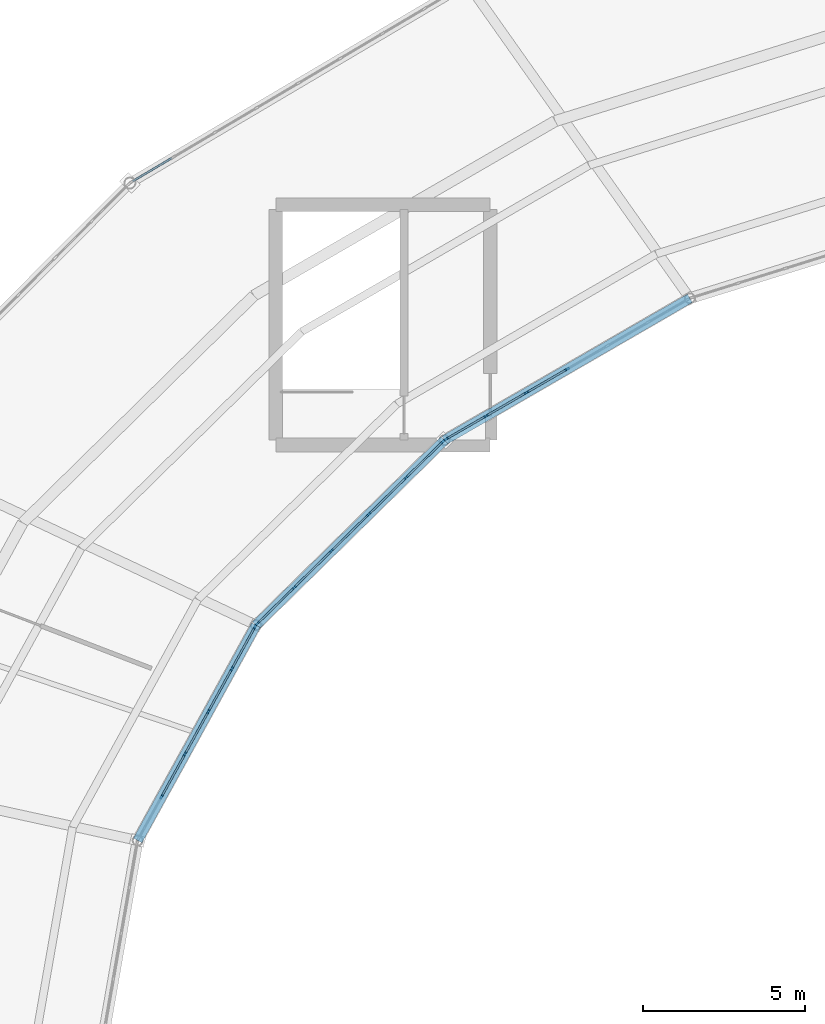
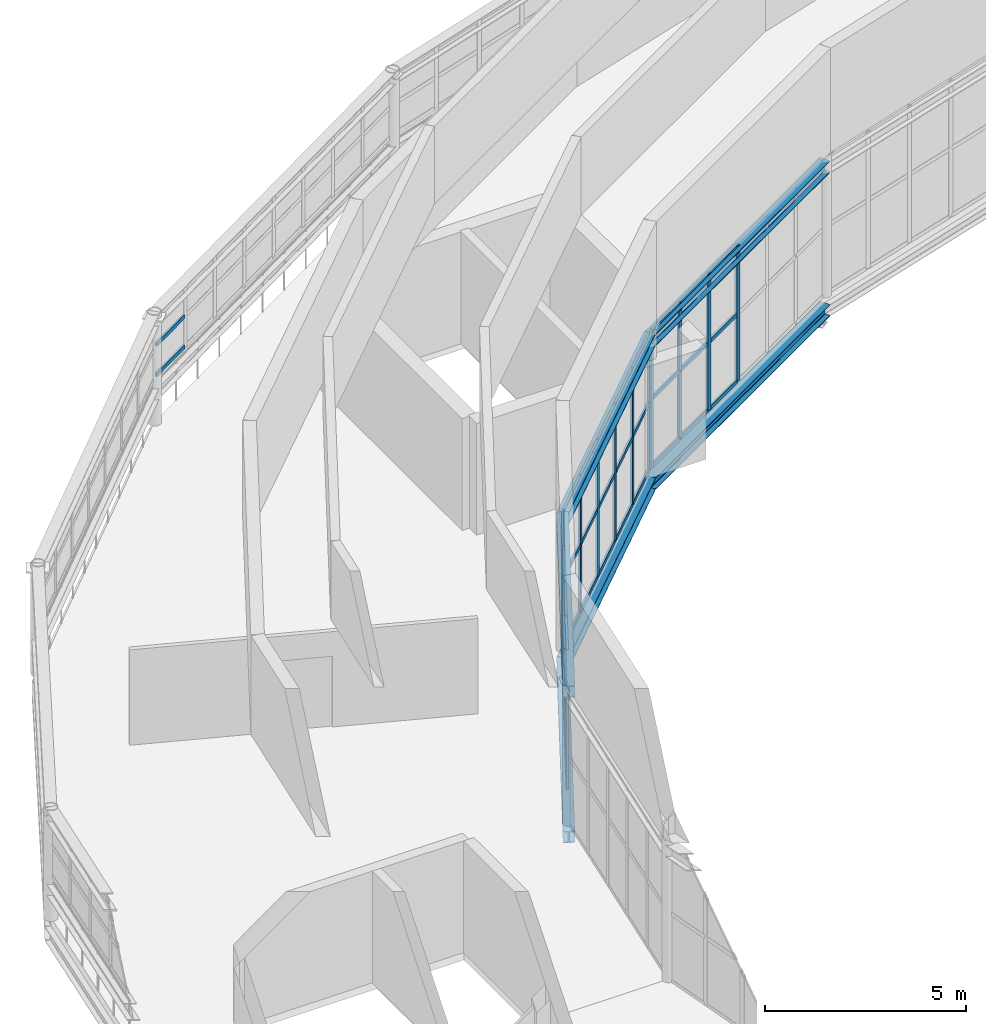
# One storey, part 48 of 123: 53 members, 6 beams, 4 elements without a shape of their own.
"""IFC4 building model written with IfcOpenShell, lengths in metres."""

from ifc_helpers import new_model, si_unit, direction, frame, origin, origin_2d, place, context, subcontext, project, spatial, rectangle, i_section, extrude, material, material_profile, profile_set, type_object, element, aggregate, save


model = new_model("IFC4")

# Units and contexts
model_context = context("Model", 3, precision=1e-05, world=origin(), true_north=direction((0.0, 1.0)))
body_context = subcontext(model_context, "Body", "Model", "MODEL_VIEW")
ifc_project = project(units=[si_unit("LENGTHUNIT", "METRE"), si_unit("AREAUNIT", "SQUARE_METRE"), si_unit("VOLUMEUNIT", "CUBIC_METRE"), si_unit("PLANEANGLEUNIT", "RADIAN"), si_unit("MASSUNIT", "GRAM", prefix="KILO")], contexts=[model_context])

# Site, building, storey
site_placement = place(None, origin())
site = spatial("IfcSite", under=ifc_project, at=site_placement, CompositionType="ELEMENT")
building_placement = place(site_placement, origin())
building = spatial("IfcBuilding", under=site, at=building_placement, Name="Kildeholm Park Wholesale Market", CompositionType="ELEMENT")
storey_placement = place(building_placement, frame((0.0, 0.0, 9.60009765625)))
storey = spatial("IfcBuildingStorey", under=building, at=storey_placement, Name="L02", CompositionType="ELEMENT", Elevation=9.60009765625)

# Beams
ifc_material_1 = material(Name="Steel S355", Category="steel")
ifc_material_profile_1 = material_profile(ifc_material_1, i_section(OverallWidth=0.300048828125, OverallDepth=0.35009765625, WebThickness=0.010009765625, FlangeThickness=0.017578125, FilletRadius=0.027099609375, at=origin_2d()), Name="HEA 360")
ifc_profile_set_1 = profile_set([ifc_material_profile_1], Name="Steel S355")
beam_type_1 = type_object("IfcBeamType", Name="Beam B-R01 HEA 360", PredefinedType="BEAM", material=ifc_profile_set_1)
beam_1_placement = place(storey_placement, frame((80.75, 113.31591796875, -0.42919921875), z_axis=(-0.865697347457, -0.500567780231, 0.0), x_axis=(0.500567780231, -0.865697347457, 0.0)))
element("IfcBeam", 1, at=beam_1_placement, inside=storey, type_object=beam_type_1, Name="Beam BM-V1-L02-CI-08 BM-0081", PredefinedType="BEAM", context=body_context, shape_type="SweptSolid", body=[
    extrude(i_section(OverallWidth=0.300048828125, OverallDepth=0.35009765625, WebThickness=0.010009765625, FlangeThickness=0.017578125, FilletRadius=0.027099609375, at=origin_2d()), origin(), (0.0, 0.0, 1.0), 8.731689453125),
])
beam_2_placement = place(storey_placement, frame((73.19091796875, 108.945068359375, -0.42919921875), z_axis=(-0.713593723838, -0.700559774251, 0.0), x_axis=(0.700559774251, -0.713593723838, 0.0)))
element("IfcBeam", 2, at=beam_2_placement, inside=storey, type_object=beam_type_1, Name="Beam BM-V1-L02-CI-09 BM-0087", PredefinedType="BEAM", context=body_context, shape_type="SweptSolid", body=[
    extrude(i_section(OverallWidth=0.300048828125, OverallDepth=0.35009765625, WebThickness=0.010009765625, FlangeThickness=0.017578125, FilletRadius=0.027099609375, at=origin_2d()), origin(), (0.0, 0.0, 1.0), 8.12939453125),
])
beam_3_placement = place(storey_placement, frame((67.389892578125, 103.25, -0.42919921875), z_axis=(-0.481751565348, -0.876307839338, 0.0), x_axis=(0.876307839338, -0.481751565348, 0.0)))
element("IfcBeam", 3, at=beam_3_placement, inside=storey, type_object=beam_type_1, Name="Beam BM-V1-L02-CI-10 BM-0096", PredefinedType="BEAM", context=body_context, shape_type="SweptSolid", body=[
    extrude(i_section(OverallWidth=0.300048828125, OverallDepth=0.35009765625, WebThickness=0.010009765625, FlangeThickness=0.017578125, FilletRadius=0.027099609375, at=origin_2d()), origin(), (0.0, 0.0, 1.0), 7.568115234375),
])
ifc_material_profile_2 = material_profile(ifc_material_1, i_section(OverallWidth=0.300048828125, OverallDepth=0.360107421875, WebThickness=0.012451171875, FlangeThickness=0.0224609375, FilletRadius=0.027099609375, at=origin_2d()), Name="HEB 360")
ifc_profile_set_2 = profile_set([ifc_material_profile_2], Name="Steel S355")
beam_type_2 = type_object("IfcBeamType", Name="Beam B-R03 HEB 360", PredefinedType="BEAM", material=ifc_profile_set_2)
beam_4_placement = place(storey_placement, frame((80.75, 113.31591796875, 3.940185546875), z_axis=(-0.865697347457, -0.500567780231, 0.0), x_axis=(0.500567780231, -0.865697347457, 0.0)))
element("IfcBeam", 4, at=beam_4_placement, inside=storey, type_object=beam_type_2, Name="Beam BM-V1-RF-IN-08 BM-0271", PredefinedType="BEAM", context=body_context, shape_type="SweptSolid", body=[
    extrude(i_section(OverallWidth=0.300048828125, OverallDepth=0.360107421875, WebThickness=0.012451171875, FlangeThickness=0.0224609375, FilletRadius=0.027099609375, at=origin_2d()), origin(), (0.0, 0.0, 1.0), 8.731689453125),
])
beam_5_placement = place(storey_placement, frame((73.19091796875, 108.945068359375, 3.96533203125), z_axis=(-0.713593723838, -0.700559774251, 0.0), x_axis=(0.700559774251, -0.713593723838, 0.0)))
element("IfcBeam", 5, at=beam_5_placement, inside=storey, type_object=beam_type_2, Name="Beam BM-V1-RF-IN-09 BM-0277", PredefinedType="BEAM", context=body_context, shape_type="SweptSolid", body=[
    extrude(i_section(OverallWidth=0.300048828125, OverallDepth=0.360107421875, WebThickness=0.012451171875, FlangeThickness=0.0224609375, FilletRadius=0.027099609375, at=origin_2d()), origin(), (0.0, 0.0, 1.0), 8.12939453125),
])
beam_6_placement = place(storey_placement, frame((67.389892578125, 103.25, 3.98828125), z_axis=(-0.481751565348, -0.876307839338, 0.0), x_axis=(0.876307839338, -0.481751565348, 0.0)))
element("IfcBeam", 6, at=beam_6_placement, inside=storey, type_object=beam_type_2, Name="Beam BM-V1-RF-IN-10 BM-0283", PredefinedType="BEAM", context=body_context, shape_type="SweptSolid", body=[
    extrude(i_section(OverallWidth=0.300048828125, OverallDepth=0.360107421875, WebThickness=0.012451171875, FlangeThickness=0.0224609375, FilletRadius=0.027099609375, at=origin_2d()), origin(), (0.0, 0.0, 1.0), 7.568115234375),
])

# Curtain wall, members
ifc_material_2 = material(Name="Anodised aluminium and low-E double-glazed glass", Category="aluminium")
curtain_wall_type = type_object("IfcCurtainWallType", Name="Clerestory daylight stick curtain wall CW-02", PredefinedType="NOTDEFINED", material=ifc_material_2)
curtain_wall_1_placement = place(storey_placement, origin())
curtain_wall_1 = element("IfcCurtainWall", 7, at=curtain_wall_1_placement, inside=storey, type_object=curtain_wall_type, Name="Curtain wall CW-V1-IN2-08 CW-0043", PredefinedType="NOTDEFINED")
ifc_material_3 = material(Name="Anodised aluminium", Category="aluminium")
ifc_material_profile_3 = material_profile(ifc_material_3, rectangle(XDim=0.06005859375, YDim=0.14990234375, at=origin_2d()), Name="CWM 60x150")
ifc_profile_set_3 = profile_set([ifc_material_profile_3], Name="Anodised aluminium")
member_type_1 = type_object("IfcMemberType", Name="Curtain-wall mullion CWM-3 CWM 60x150", PredefinedType="MULLION", material=ifc_profile_set_3)
member_1_placement = place(storey_placement, frame((76.967041015625, 111.134033203125, 0.0), z_axis=(0.0, 0.0, 1.0), x_axis=(0.500489412982, -0.865742656621, 0.0)))
member_1 = element("IfcMember", 8, at=member_1_placement, type_object=member_type_1, Name="CW-02 mullion 4 MEM-1595", PredefinedType="MULLION", context=body_context, shape_type="SweptSolid", body=[
    extrude(rectangle(XDim=0.06005859375, YDim=0.14990234375, at=origin_2d()), origin(), (0.0, 0.0, 1.0), 4.14990234375),
])
member_2_placement = place(storey_placement, frame((75.71875, 110.412353515625, 0.0), z_axis=(0.0, 0.0, 1.0), x_axis=(0.500489412982, -0.865742656621, 0.0)))
member_2 = element("IfcMember", 9, at=member_2_placement, type_object=member_type_1, Name="CW-02 mullion 5 MEM-1596", PredefinedType="MULLION", context=body_context, shape_type="SweptSolid", body=[
    extrude(rectangle(XDim=0.06005859375, YDim=0.14990234375, at=origin_2d()), origin(), (0.0, 0.0, 1.0), 4.14990234375),
])
member_3_placement = place(storey_placement, frame((74.47021484375, 109.690673828125, 0.0), z_axis=(0.0, 0.0, 1.0), x_axis=(0.500489412982, -0.865742656621, 0.0)))
member_3 = element("IfcMember", 10, at=member_3_placement, type_object=member_type_1, Name="CW-02 mullion 6 MEM-1597", PredefinedType="MULLION", context=body_context, shape_type="SweptSolid", body=[
    extrude(rectangle(XDim=0.06005859375, YDim=0.14990234375, at=origin_2d()), origin(), (0.0, 0.0, 1.0), 4.14990234375),
])
member_4_placement = place(storey_placement, frame((73.248046875, 108.984130859375, 0.0), z_axis=(0.0, 0.0, 1.0), x_axis=(0.500489412982, -0.865742656621, 0.0)))
member_4 = element("IfcMember", 11, at=member_4_placement, type_object=member_type_1, Name="CW-02 mullion 7 MEM-1598", PredefinedType="MULLION", context=body_context, shape_type="SweptSolid", body=[
    extrude(rectangle(XDim=0.06005859375, YDim=0.14990234375, at=origin_2d()), origin(), (0.0, 0.0, 1.0), 4.14990234375),
])

curtain_wall_2_placement = place(storey_placement, origin())
curtain_wall_2 = element("IfcCurtainWall", 12, at=curtain_wall_2_placement, inside=storey, type_object=curtain_wall_type, Name="Curtain wall CW-V1-IN2-09 CW-0048", PredefinedType="NOTDEFINED")
member_5_placement = place(storey_placement, frame((73.135498046875, 108.89892578125, 0.0), z_axis=(0.0, 0.0, 1.0), x_axis=(0.700616534607, -0.713537995789, 0.0)))
member_5 = element("IfcMember", 13, at=member_5_placement, type_object=member_type_1, Name="CW-02 mullion 1 MEM-1725", PredefinedType="MULLION", context=body_context, shape_type="SweptSolid", body=[
    extrude(rectangle(XDim=0.06005859375, YDim=0.14990234375, at=origin_2d()), origin(), (0.0, 0.0, 1.0), 4.14990234375),
])
member_6_placement = place(storey_placement, frame((72.00830078125, 107.792236328125, 0.0), z_axis=(0.0, 0.0, 1.0), x_axis=(0.700616534607, -0.713537995789, 0.0)))
member_6 = element("IfcMember", 14, at=member_6_placement, type_object=member_type_1, Name="CW-02 mullion 2 MEM-1726", PredefinedType="MULLION", context=body_context, shape_type="SweptSolid", body=[
    extrude(rectangle(XDim=0.06005859375, YDim=0.14990234375, at=origin_2d()), origin(), (0.0, 0.0, 1.0), 4.14990234375),
])
member_7_placement = place(storey_placement, frame((70.85986328125, 106.664306640625, 0.0), z_axis=(0.0, 0.0, 1.0), x_axis=(0.700616534607, -0.713537995789, 0.0)))
member_7 = element("IfcMember", 15, at=member_7_placement, type_object=member_type_1, Name="CW-02 mullion 3 MEM-1727", PredefinedType="MULLION", context=body_context, shape_type="SweptSolid", body=[
    extrude(rectangle(XDim=0.06005859375, YDim=0.14990234375, at=origin_2d()), origin(), (0.0, 0.0, 1.0), 4.14990234375),
])
member_8_placement = place(storey_placement, frame((69.711181640625, 105.53662109375, 0.0), z_axis=(0.0, 0.0, 1.0), x_axis=(0.700616534607, -0.713537995789, 0.0)))
member_8 = element("IfcMember", 16, at=member_8_placement, type_object=member_type_1, Name="CW-02 mullion 4 MEM-1728", PredefinedType="MULLION", context=body_context, shape_type="SweptSolid", body=[
    extrude(rectangle(XDim=0.06005859375, YDim=0.14990234375, at=origin_2d()), origin(), (0.0, 0.0, 1.0), 4.14990234375),
])
member_9_placement = place(storey_placement, frame((68.5625, 104.40869140625, 0.0), z_axis=(0.0, 0.0, 1.0), x_axis=(0.700616534607, -0.713537995789, 0.0)))
member_9 = element("IfcMember", 17, at=member_9_placement, type_object=member_type_1, Name="CW-02 mullion 5 MEM-1729", PredefinedType="MULLION", context=body_context, shape_type="SweptSolid", body=[
    extrude(rectangle(XDim=0.06005859375, YDim=0.14990234375, at=origin_2d()), origin(), (0.0, 0.0, 1.0), 4.14990234375),
])
member_10_placement = place(storey_placement, frame((67.435302734375, 103.302001953125, 0.0), z_axis=(0.0, 0.0, 1.0), x_axis=(0.700616534607, -0.713537995789, 0.0)))
member_10 = element("IfcMember", 18, at=member_10_placement, type_object=member_type_1, Name="CW-02 mullion 6 MEM-1730", PredefinedType="MULLION", context=body_context, shape_type="SweptSolid", body=[
    extrude(rectangle(XDim=0.06005859375, YDim=0.14990234375, at=origin_2d()), origin(), (0.0, 0.0, 1.0), 4.14990234375),
])

curtain_wall_3_placement = place(storey_placement, origin())
curtain_wall_3 = element("IfcCurtainWall", 19, at=curtain_wall_3_placement, inside=storey, type_object=curtain_wall_type, Name="Curtain wall CW-V1-IN2-10 CW-0053", PredefinedType="NOTDEFINED")
member_11_placement = place(storey_placement, frame((67.3505859375, 103.190673828125, 0.0), z_axis=(0.0, 0.0, 1.0), x_axis=(0.876308922506, -0.481749595055, 0.0)))
member_11 = element("IfcMember", 20, at=member_11_placement, type_object=member_type_1, Name="CW-02 mullion 1 MEM-1850", PredefinedType="MULLION", context=body_context, shape_type="SweptSolid", body=[
    extrude(rectangle(XDim=0.06005859375, YDim=0.14990234375, at=origin_2d()), origin(), (0.0, 0.0, 1.0), 4.14990234375),
])
member_12_placement = place(storey_placement, frame((66.643310546875, 101.904296875, 0.0), z_axis=(0.0, 0.0, 1.0), x_axis=(0.876308922506, -0.481749595055, 0.0)))
member_12 = element("IfcMember", 21, at=member_12_placement, type_object=member_type_1, Name="CW-02 mullion 2 MEM-1851", PredefinedType="MULLION", context=body_context, shape_type="SweptSolid", body=[
    extrude(rectangle(XDim=0.06005859375, YDim=0.14990234375, at=origin_2d()), origin(), (0.0, 0.0, 1.0), 4.14990234375),
])
member_13_placement = place(storey_placement, frame((65.921875, 100.591796875, 0.0), z_axis=(0.0, 0.0, 1.0), x_axis=(0.876308922506, -0.481749595055, 0.0)))
member_13 = element("IfcMember", 22, at=member_13_placement, type_object=member_type_1, Name="CW-02 mullion 3 MEM-1852", PredefinedType="MULLION", context=body_context, shape_type="SweptSolid", body=[
    extrude(rectangle(XDim=0.06005859375, YDim=0.14990234375, at=origin_2d()), origin(), (0.0, 0.0, 1.0), 4.14990234375),
])
member_14_placement = place(storey_placement, frame((65.2001953125, 99.279296875, 0.0), z_axis=(0.0, 0.0, 1.0), x_axis=(0.876308922506, -0.481749595055, 0.0)))
member_14 = element("IfcMember", 23, at=member_14_placement, type_object=member_type_1, Name="CW-02 mullion 4 MEM-1853", PredefinedType="MULLION", context=body_context, shape_type="SweptSolid", body=[
    extrude(rectangle(XDim=0.06005859375, YDim=0.14990234375, at=origin_2d()), origin(), (0.0, 0.0, 1.0), 4.14990234375),
])
member_15_placement = place(storey_placement, frame((64.478515625, 97.966552734375, 0.0), z_axis=(0.0, 0.0, 1.0), x_axis=(0.876308922506, -0.481749595055, 0.0)))
member_15 = element("IfcMember", 24, at=member_15_placement, type_object=member_type_1, Name="CW-02 mullion 5 MEM-1854", PredefinedType="MULLION", context=body_context, shape_type="SweptSolid", body=[
    extrude(rectangle(XDim=0.06005859375, YDim=0.14990234375, at=origin_2d()), origin(), (0.0, 0.0, 1.0), 4.14990234375),
])

curtain_wall_4_placement = place(storey_placement, origin())
curtain_wall_4 = element("IfcCurtainWall", 25, at=curtain_wall_4_placement, inside=storey, type_object=curtain_wall_type, Name="Curtain wall CW-V1-CL-08 CW-0040", PredefinedType="NOTDEFINED")
ifc_material_profile_4 = material_profile(ifc_material_3, rectangle(XDim=0.06005859375, YDim=0.1201171875, at=origin_2d()), Name="CWT 60x120")
ifc_profile_set_4 = profile_set([ifc_material_profile_4], Name="Anodised aluminium")
member_type_2 = type_object("IfcMemberType", Name="Curtain-wall transom CWT-3 CWT 60x120", PredefinedType="USERDEFINED", material=ifc_profile_set_4)
member_16_placement = place(storey_placement, frame((64.799072265625, 117.637451171875, 1.3798828125), z_axis=(-0.860609208808, -0.509265932214, 0.0), x_axis=(0.509265932214, -0.860609208808, 0.0)))
member_16 = element("IfcMember", 26, at=member_16_placement, type_object=member_type_2, Name="CW-02 transom 8.1 MEM-1539", ObjectType="TRANSOM", PredefinedType="USERDEFINED", context=body_context, shape_type="SweptSolid", body=[
    extrude(rectangle(XDim=0.06005859375, YDim=0.1201171875, at=origin_2d()), origin(), (0.0, 0.0, 1.0), 1.409912109375),
])
member_17_placement = place(storey_placement, frame((64.799072265625, 117.637451171875, 2.2998046875), z_axis=(-0.860609208808, -0.509265932214, 0.0), x_axis=(0.509265932214, -0.860609208808, 0.0)))
member_17 = element("IfcMember", 27, at=member_17_placement, type_object=member_type_2, Name="CW-02 transom 8.2 MEM-1540", ObjectType="TRANSOM", PredefinedType="USERDEFINED", context=body_context, shape_type="SweptSolid", body=[
    extrude(rectangle(XDim=0.06005859375, YDim=0.1201171875, at=origin_2d()), origin(), (0.0, 0.0, 1.0), 1.409912109375),
])
aggregate(curtain_wall_4, [member_16, member_17])

# Member
member_18_placement = place(storey_placement, frame((76.94091796875, 111.118896484375, 0.02978515625), z_axis=(-0.865720476709, -0.500527777657, 0.0), x_axis=(0.500527777657, -0.865720476709, 0.0)))
member_18 = element("IfcMember", 28, at=member_18_placement, type_object=member_type_2, Name="CW-02 transom 4.1 MEM-1608", ObjectType="TRANSOM", PredefinedType="USERDEFINED", context=body_context, shape_type="SweptSolid", body=[
    extrude(rectangle(XDim=0.06005859375, YDim=0.1201171875, at=origin_2d()), origin(), (0.0, 0.0, 1.0), 1.3818359375),
])

member_19_placement = place(storey_placement, frame((76.94091796875, 111.118896484375, 2.074951171875), z_axis=(-0.865720476709, -0.500527777657, 0.0), x_axis=(0.500527777657, -0.865720476709, 0.0)))
member_19 = element("IfcMember", 29, at=member_19_placement, type_object=member_type_2, Name="CW-02 transom 4.2 MEM-1609", ObjectType="TRANSOM", PredefinedType="USERDEFINED", context=body_context, shape_type="SweptSolid", body=[
    extrude(rectangle(XDim=0.06005859375, YDim=0.1201171875, at=origin_2d()), origin(), (0.0, 0.0, 1.0), 1.3818359375),
])

member_20_placement = place(storey_placement, frame((76.94091796875, 111.118896484375, 4.119873046875), z_axis=(-0.865720476709, -0.500527777657, 0.0), x_axis=(0.500527777657, -0.865720476709, 0.0)))
member_20 = element("IfcMember", 30, at=member_20_placement, type_object=member_type_2, Name="CW-02 transom 4.3 MEM-1610", ObjectType="TRANSOM", PredefinedType="USERDEFINED", context=body_context, shape_type="SweptSolid", body=[
    extrude(rectangle(XDim=0.06005859375, YDim=0.1201171875, at=origin_2d()), origin(), (0.0, 0.0, 1.0), 1.3818359375),
])

member_21_placement = place(storey_placement, frame((75.692626953125, 110.397216796875, 0.02978515625), z_axis=(-0.865720476709, -0.500527777657, 0.0), x_axis=(0.500527777657, -0.865720476709, 0.0)))
member_21 = element("IfcMember", 31, at=member_21_placement, type_object=member_type_2, Name="CW-02 transom 5.1 MEM-1611", ObjectType="TRANSOM", PredefinedType="USERDEFINED", context=body_context, shape_type="SweptSolid", body=[
    extrude(rectangle(XDim=0.06005859375, YDim=0.1201171875, at=origin_2d()), origin(), (0.0, 0.0, 1.0), 1.3818359375),
])

member_22_placement = place(storey_placement, frame((75.692626953125, 110.397216796875, 2.074951171875), z_axis=(-0.865720476709, -0.500527777657, 0.0), x_axis=(0.500527777657, -0.865720476709, 0.0)))
member_22 = element("IfcMember", 32, at=member_22_placement, type_object=member_type_2, Name="CW-02 transom 5.2 MEM-1612", ObjectType="TRANSOM", PredefinedType="USERDEFINED", context=body_context, shape_type="SweptSolid", body=[
    extrude(rectangle(XDim=0.06005859375, YDim=0.1201171875, at=origin_2d()), origin(), (0.0, 0.0, 1.0), 1.3818359375),
])

member_23_placement = place(storey_placement, frame((75.692626953125, 110.397216796875, 4.119873046875), z_axis=(-0.865720476709, -0.500527777657, 0.0), x_axis=(0.500527777657, -0.865720476709, 0.0)))
member_23 = element("IfcMember", 33, at=member_23_placement, type_object=member_type_2, Name="CW-02 transom 5.3 MEM-1613", ObjectType="TRANSOM", PredefinedType="USERDEFINED", context=body_context, shape_type="SweptSolid", body=[
    extrude(rectangle(XDim=0.06005859375, YDim=0.1201171875, at=origin_2d()), origin(), (0.0, 0.0, 1.0), 1.3818359375),
])

member_24_placement = place(storey_placement, frame((74.4443359375, 109.675537109375, 0.02978515625), z_axis=(-0.865776399866, -0.500431039639, 0.0), x_axis=(0.500431039639, -0.865776399866, 0.0)))
member_24 = element("IfcMember", 34, at=member_24_placement, type_object=member_type_2, Name="CW-02 transom 6.1 MEM-1614", ObjectType="TRANSOM", PredefinedType="USERDEFINED", context=body_context, shape_type="SweptSolid", body=[
    extrude(rectangle(XDim=0.06005859375, YDim=0.1201171875, at=origin_2d()), origin(), (0.0, 0.0, 1.0), 1.351806640625),
])

member_25_placement = place(storey_placement, frame((74.4443359375, 109.675537109375, 2.074951171875), z_axis=(-0.865776399866, -0.500431039639, 0.0), x_axis=(0.500431039639, -0.865776399866, 0.0)))
member_25 = element("IfcMember", 35, at=member_25_placement, type_object=member_type_2, Name="CW-02 transom 6.2 MEM-1615", ObjectType="TRANSOM", PredefinedType="USERDEFINED", context=body_context, shape_type="SweptSolid", body=[
    extrude(rectangle(XDim=0.06005859375, YDim=0.1201171875, at=origin_2d()), origin(), (0.0, 0.0, 1.0), 1.351806640625),
])

member_26_placement = place(storey_placement, frame((74.4443359375, 109.675537109375, 4.119873046875), z_axis=(-0.865776399866, -0.500431039639, 0.0), x_axis=(0.500431039639, -0.865776399866, 0.0)))
member_26 = element("IfcMember", 36, at=member_26_placement, type_object=member_type_2, Name="CW-02 transom 6.3 MEM-1616", ObjectType="TRANSOM", PredefinedType="USERDEFINED", context=body_context, shape_type="SweptSolid", body=[
    extrude(rectangle(XDim=0.06005859375, YDim=0.1201171875, at=origin_2d()), origin(), (0.0, 0.0, 1.0), 1.351806640625),
])

aggregate(curtain_wall_1, [member_1, member_2, member_3, member_4, member_18, member_19, member_20, member_21, member_22, member_23, member_24, member_25, member_26])

member_27_placement = place(storey_placement, frame((73.1142578125, 108.8779296875, 0.02978515625), z_axis=(-0.713582952172, -0.700570746156, 0.0), x_axis=(0.700570746156, -0.713582952172, 0.0)))
member_27 = element("IfcMember", 37, at=member_27_placement, type_object=member_type_2, Name="CW-02 transom 1.1 MEM-1731", ObjectType="TRANSOM", PredefinedType="USERDEFINED", context=body_context, shape_type="SweptSolid", body=[
    extrude(rectangle(XDim=0.06005859375, YDim=0.1201171875, at=origin_2d()), origin(), (0.0, 0.0, 1.0), 1.519775390625),
])

member_28_placement = place(storey_placement, frame((73.1142578125, 108.8779296875, 2.074951171875), z_axis=(-0.713582952172, -0.700570746156, 0.0), x_axis=(0.700570746156, -0.713582952172, 0.0)))
member_28 = element("IfcMember", 38, at=member_28_placement, type_object=member_type_2, Name="CW-02 transom 1.2 MEM-1732", ObjectType="TRANSOM", PredefinedType="USERDEFINED", context=body_context, shape_type="SweptSolid", body=[
    extrude(rectangle(XDim=0.06005859375, YDim=0.1201171875, at=origin_2d()), origin(), (0.0, 0.0, 1.0), 1.519775390625),
])

member_29_placement = place(storey_placement, frame((73.1142578125, 108.8779296875, 4.119873046875), z_axis=(-0.713582952172, -0.700570746156, 0.0), x_axis=(0.700570746156, -0.713582952172, 0.0)))
member_29 = element("IfcMember", 39, at=member_29_placement, type_object=member_type_2, Name="CW-02 transom 1.3 MEM-1733", ObjectType="TRANSOM", PredefinedType="USERDEFINED", context=body_context, shape_type="SweptSolid", body=[
    extrude(rectangle(XDim=0.06005859375, YDim=0.1201171875, at=origin_2d()), origin(), (0.0, 0.0, 1.0), 1.519775390625),
])

member_30_placement = place(storey_placement, frame((71.987060546875, 107.771240234375, 0.02978515625), z_axis=(-0.713535335808, -0.700619243636, 0.0), x_axis=(0.700619243636, -0.713535335808, 0.0)))
member_30 = element("IfcMember", 40, at=member_30_placement, type_object=member_type_2, Name="CW-02 transom 2.1 MEM-1734", ObjectType="TRANSOM", PredefinedType="USERDEFINED", context=body_context, shape_type="SweptSolid", body=[
    extrude(rectangle(XDim=0.06005859375, YDim=0.1201171875, at=origin_2d()), origin(), (0.0, 0.0, 1.0), 1.550048828125),
])

member_31_placement = place(storey_placement, frame((71.987060546875, 107.771240234375, 2.074951171875), z_axis=(-0.713535335808, -0.700619243636, 0.0), x_axis=(0.700619243636, -0.713535335808, 0.0)))
member_31 = element("IfcMember", 41, at=member_31_placement, type_object=member_type_2, Name="CW-02 transom 2.2 MEM-1735", ObjectType="TRANSOM", PredefinedType="USERDEFINED", context=body_context, shape_type="SweptSolid", body=[
    extrude(rectangle(XDim=0.06005859375, YDim=0.1201171875, at=origin_2d()), origin(), (0.0, 0.0, 1.0), 1.550048828125),
])

member_32_placement = place(storey_placement, frame((71.987060546875, 107.771240234375, 4.119873046875), z_axis=(-0.713535335808, -0.700619243636, 0.0), x_axis=(0.700619243636, -0.713535335808, 0.0)))
member_32 = element("IfcMember", 42, at=member_32_placement, type_object=member_type_2, Name="CW-02 transom 2.3 MEM-1736", ObjectType="TRANSOM", PredefinedType="USERDEFINED", context=body_context, shape_type="SweptSolid", body=[
    extrude(rectangle(XDim=0.06005859375, YDim=0.1201171875, at=origin_2d()), origin(), (0.0, 0.0, 1.0), 1.550048828125),
])

member_33_placement = place(storey_placement, frame((70.83837890625, 106.643310546875, 0.02978515625), z_axis=(-0.713536761503, -0.700617791655, 0.0), x_axis=(0.700617791655, -0.713536761503, 0.0)))
member_33 = element("IfcMember", 43, at=member_33_placement, type_object=member_type_2, Name="CW-02 transom 3.1 MEM-1737", ObjectType="TRANSOM", PredefinedType="USERDEFINED", context=body_context, shape_type="SweptSolid", body=[
    extrude(rectangle(XDim=0.06005859375, YDim=0.1201171875, at=origin_2d()), origin(), (0.0, 0.0, 1.0), 1.549560546875),
])

member_34_placement = place(storey_placement, frame((70.83837890625, 106.643310546875, 2.074951171875), z_axis=(-0.713536761503, -0.700617791655, 0.0), x_axis=(0.700617791655, -0.713536761503, 0.0)))
member_34 = element("IfcMember", 44, at=member_34_placement, type_object=member_type_2, Name="CW-02 transom 3.2 MEM-1738", ObjectType="TRANSOM", PredefinedType="USERDEFINED", context=body_context, shape_type="SweptSolid", body=[
    extrude(rectangle(XDim=0.06005859375, YDim=0.1201171875, at=origin_2d()), origin(), (0.0, 0.0, 1.0), 1.549560546875),
])

member_35_placement = place(storey_placement, frame((70.83837890625, 106.643310546875, 4.119873046875), z_axis=(-0.713536761503, -0.700617791655, 0.0), x_axis=(0.700617791655, -0.713536761503, 0.0)))
member_35 = element("IfcMember", 45, at=member_35_placement, type_object=member_type_2, Name="CW-02 transom 3.3 MEM-1739", ObjectType="TRANSOM", PredefinedType="USERDEFINED", context=body_context, shape_type="SweptSolid", body=[
    extrude(rectangle(XDim=0.06005859375, YDim=0.1201171875, at=origin_2d()), origin(), (0.0, 0.0, 1.0), 1.549560546875),
])

member_36_placement = place(storey_placement, frame((69.689697265625, 105.515625, 0.02978515625), z_axis=(-0.713536761503, -0.700617791655, 0.0), x_axis=(0.700617791655, -0.713536761503, 0.0)))
member_36 = element("IfcMember", 46, at=member_36_placement, type_object=member_type_2, Name="CW-02 transom 4.1 MEM-1740", ObjectType="TRANSOM", PredefinedType="USERDEFINED", context=body_context, shape_type="SweptSolid", body=[
    extrude(rectangle(XDim=0.06005859375, YDim=0.1201171875, at=origin_2d()), origin(), (0.0, 0.0, 1.0), 1.549560546875),
])

member_37_placement = place(storey_placement, frame((69.689697265625, 105.515625, 2.074951171875), z_axis=(-0.713536761503, -0.700617791655, 0.0), x_axis=(0.700617791655, -0.713536761503, 0.0)))
member_37 = element("IfcMember", 47, at=member_37_placement, type_object=member_type_2, Name="CW-02 transom 4.2 MEM-1741", ObjectType="TRANSOM", PredefinedType="USERDEFINED", context=body_context, shape_type="SweptSolid", body=[
    extrude(rectangle(XDim=0.06005859375, YDim=0.1201171875, at=origin_2d()), origin(), (0.0, 0.0, 1.0), 1.549560546875),
])

member_38_placement = place(storey_placement, frame((69.689697265625, 105.515625, 4.119873046875), z_axis=(-0.713536761503, -0.700617791655, 0.0), x_axis=(0.700617791655, -0.713536761503, 0.0)))
member_38 = element("IfcMember", 48, at=member_38_placement, type_object=member_type_2, Name="CW-02 transom 4.3 MEM-1742", ObjectType="TRANSOM", PredefinedType="USERDEFINED", context=body_context, shape_type="SweptSolid", body=[
    extrude(rectangle(XDim=0.06005859375, YDim=0.1201171875, at=origin_2d()), origin(), (0.0, 0.0, 1.0), 1.549560546875),
])

member_39_placement = place(storey_placement, frame((68.541259765625, 104.3876953125, 0.02978515625), z_axis=(-0.713582952172, -0.700570746156, 0.0), x_axis=(0.700570746156, -0.713582952172, 0.0)))
member_39 = element("IfcMember", 49, at=member_39_placement, type_object=member_type_2, Name="CW-02 transom 5.1 MEM-1743", ObjectType="TRANSOM", PredefinedType="USERDEFINED", context=body_context, shape_type="SweptSolid", body=[
    extrude(rectangle(XDim=0.06005859375, YDim=0.1201171875, at=origin_2d()), origin(), (0.0, 0.0, 1.0), 1.519775390625),
])

member_40_placement = place(storey_placement, frame((68.541259765625, 104.3876953125, 2.074951171875), z_axis=(-0.713582952172, -0.700570746156, 0.0), x_axis=(0.700570746156, -0.713582952172, 0.0)))
member_40 = element("IfcMember", 50, at=member_40_placement, type_object=member_type_2, Name="CW-02 transom 5.2 MEM-1744", ObjectType="TRANSOM", PredefinedType="USERDEFINED", context=body_context, shape_type="SweptSolid", body=[
    extrude(rectangle(XDim=0.06005859375, YDim=0.1201171875, at=origin_2d()), origin(), (0.0, 0.0, 1.0), 1.519775390625),
])

member_41_placement = place(storey_placement, frame((68.541259765625, 104.3876953125, 4.119873046875), z_axis=(-0.713582952172, -0.700570746156, 0.0), x_axis=(0.700570746156, -0.713582952172, 0.0)))
member_41 = element("IfcMember", 51, at=member_41_placement, type_object=member_type_2, Name="CW-02 transom 5.3 MEM-1745", ObjectType="TRANSOM", PredefinedType="USERDEFINED", context=body_context, shape_type="SweptSolid", body=[
    extrude(rectangle(XDim=0.06005859375, YDim=0.1201171875, at=origin_2d()), origin(), (0.0, 0.0, 1.0), 1.519775390625),
])

aggregate(curtain_wall_2, [member_5, member_6, member_7, member_8, member_9, member_10, member_27, member_28, member_29, member_30, member_31, member_32, member_33, member_34, member_35, member_36, member_37, member_38, member_39, member_40, member_41])

member_42_placement = place(storey_placement, frame((67.336181640625, 103.164306640625, 0.02978515625), z_axis=(-0.481765625321, -0.8763001097, 0.0), x_axis=(0.8763001097, -0.481765625321, 0.0)))
member_42 = element("IfcMember", 52, at=member_42_placement, type_object=member_type_2, Name="CW-02 transom 1.1 MEM-1856", ObjectType="TRANSOM", PredefinedType="USERDEFINED", context=body_context, shape_type="SweptSolid", body=[
    extrude(rectangle(XDim=0.06005859375, YDim=0.1201171875, at=origin_2d()), origin(), (0.0, 0.0, 1.0), 1.40771484375),
])

member_43_placement = place(storey_placement, frame((67.336181640625, 103.164306640625, 2.074951171875), z_axis=(-0.481765625321, -0.8763001097, 0.0), x_axis=(0.8763001097, -0.481765625321, 0.0)))
member_43 = element("IfcMember", 53, at=member_43_placement, type_object=member_type_2, Name="CW-02 transom 1.2 MEM-1857", ObjectType="TRANSOM", PredefinedType="USERDEFINED", context=body_context, shape_type="SweptSolid", body=[
    extrude(rectangle(XDim=0.06005859375, YDim=0.1201171875, at=origin_2d()), origin(), (0.0, 0.0, 1.0), 1.40771484375),
])

member_44_placement = place(storey_placement, frame((67.336181640625, 103.164306640625, 4.119873046875), z_axis=(-0.481765625321, -0.8763001097, 0.0), x_axis=(0.8763001097, -0.481765625321, 0.0)))
member_44 = element("IfcMember", 54, at=member_44_placement, type_object=member_type_2, Name="CW-02 transom 1.3 MEM-1858", ObjectType="TRANSOM", PredefinedType="USERDEFINED", context=body_context, shape_type="SweptSolid", body=[
    extrude(rectangle(XDim=0.06005859375, YDim=0.1201171875, at=origin_2d()), origin(), (0.0, 0.0, 1.0), 1.40771484375),
])

member_45_placement = place(storey_placement, frame((66.62890625, 101.878173828125, 0.02978515625), z_axis=(-0.481716674184, -0.876327019903, 0.0), x_axis=(0.876327019903, -0.481716674184, 0.0)))
member_45 = element("IfcMember", 55, at=member_45_placement, type_object=member_type_2, Name="CW-02 transom 2.1 MEM-1859", ObjectType="TRANSOM", PredefinedType="USERDEFINED", context=body_context, shape_type="SweptSolid", body=[
    extrude(rectangle(XDim=0.06005859375, YDim=0.1201171875, at=origin_2d()), origin(), (0.0, 0.0, 1.0), 1.437744140625),
])

member_46_placement = place(storey_placement, frame((66.62890625, 101.878173828125, 2.074951171875), z_axis=(-0.481716674184, -0.876327019903, 0.0), x_axis=(0.876327019903, -0.481716674184, 0.0)))
member_46 = element("IfcMember", 56, at=member_46_placement, type_object=member_type_2, Name="CW-02 transom 2.2 MEM-1860", ObjectType="TRANSOM", PredefinedType="USERDEFINED", context=body_context, shape_type="SweptSolid", body=[
    extrude(rectangle(XDim=0.06005859375, YDim=0.1201171875, at=origin_2d()), origin(), (0.0, 0.0, 1.0), 1.437744140625),
])

member_47_placement = place(storey_placement, frame((66.62890625, 101.878173828125, 4.119873046875), z_axis=(-0.481716674184, -0.876327019903, 0.0), x_axis=(0.876327019903, -0.481716674184, 0.0)))
member_47 = element("IfcMember", 57, at=member_47_placement, type_object=member_type_2, Name="CW-02 transom 2.3 MEM-1861", ObjectType="TRANSOM", PredefinedType="USERDEFINED", context=body_context, shape_type="SweptSolid", body=[
    extrude(rectangle(XDim=0.06005859375, YDim=0.1201171875, at=origin_2d()), origin(), (0.0, 0.0, 1.0), 1.437744140625),
])

member_48_placement = place(storey_placement, frame((65.9072265625, 100.5654296875, 0.02978515625), z_axis=(-0.481716674184, -0.876327019903, 0.0), x_axis=(0.876327019903, -0.481716674184, 0.0)))
member_48 = element("IfcMember", 58, at=member_48_placement, type_object=member_type_2, Name="CW-02 transom 3.1 MEM-1862", ObjectType="TRANSOM", PredefinedType="USERDEFINED", context=body_context, shape_type="SweptSolid", body=[
    extrude(rectangle(XDim=0.06005859375, YDim=0.1201171875, at=origin_2d()), origin(), (0.0, 0.0, 1.0), 1.437744140625),
])

member_49_placement = place(storey_placement, frame((65.9072265625, 100.5654296875, 2.074951171875), z_axis=(-0.481716674184, -0.876327019903, 0.0), x_axis=(0.876327019903, -0.481716674184, 0.0)))
member_49 = element("IfcMember", 59, at=member_49_placement, type_object=member_type_2, Name="CW-02 transom 3.2 MEM-1863", ObjectType="TRANSOM", PredefinedType="USERDEFINED", context=body_context, shape_type="SweptSolid", body=[
    extrude(rectangle(XDim=0.06005859375, YDim=0.1201171875, at=origin_2d()), origin(), (0.0, 0.0, 1.0), 1.437744140625),
])

member_50_placement = place(storey_placement, frame((65.9072265625, 100.5654296875, 4.119873046875), z_axis=(-0.481716674184, -0.876327019903, 0.0), x_axis=(0.876327019903, -0.481716674184, 0.0)))
member_50 = element("IfcMember", 60, at=member_50_placement, type_object=member_type_2, Name="CW-02 transom 3.3 MEM-1864", ObjectType="TRANSOM", PredefinedType="USERDEFINED", context=body_context, shape_type="SweptSolid", body=[
    extrude(rectangle(XDim=0.06005859375, YDim=0.1201171875, at=origin_2d()), origin(), (0.0, 0.0, 1.0), 1.437744140625),
])

member_51_placement = place(storey_placement, frame((65.185791015625, 99.2529296875, 0.02978515625), z_axis=(-0.481716674184, -0.876327019903, 0.0), x_axis=(0.876327019903, -0.481716674184, 0.0)))
member_51 = element("IfcMember", 61, at=member_51_placement, type_object=member_type_2, Name="CW-02 transom 4.1 MEM-1865", ObjectType="TRANSOM", PredefinedType="USERDEFINED", context=body_context, shape_type="SweptSolid", body=[
    extrude(rectangle(XDim=0.06005859375, YDim=0.1201171875, at=origin_2d()), origin(), (0.0, 0.0, 1.0), 1.437744140625),
])

member_52_placement = place(storey_placement, frame((65.185791015625, 99.2529296875, 2.074951171875), z_axis=(-0.481716674184, -0.876327019903, 0.0), x_axis=(0.876327019903, -0.481716674184, 0.0)))
member_52 = element("IfcMember", 62, at=member_52_placement, type_object=member_type_2, Name="CW-02 transom 4.2 MEM-1866", ObjectType="TRANSOM", PredefinedType="USERDEFINED", context=body_context, shape_type="SweptSolid", body=[
    extrude(rectangle(XDim=0.06005859375, YDim=0.1201171875, at=origin_2d()), origin(), (0.0, 0.0, 1.0), 1.437744140625),
])

member_53_placement = place(storey_placement, frame((65.185791015625, 99.2529296875, 4.119873046875), z_axis=(-0.481716674184, -0.876327019903, 0.0), x_axis=(0.876327019903, -0.481716674184, 0.0)))
member_53 = element("IfcMember", 63, at=member_53_placement, type_object=member_type_2, Name="CW-02 transom 4.3 MEM-1867", ObjectType="TRANSOM", PredefinedType="USERDEFINED", context=body_context, shape_type="SweptSolid", body=[
    extrude(rectangle(XDim=0.06005859375, YDim=0.1201171875, at=origin_2d()), origin(), (0.0, 0.0, 1.0), 1.437744140625),
])

aggregate(curtain_wall_3, [member_11, member_12, member_13, member_14, member_15, member_42, member_43, member_44, member_45, member_46, member_47, member_48, member_49, member_50, member_51, member_52, member_53])

save(model, "model.ifc")
